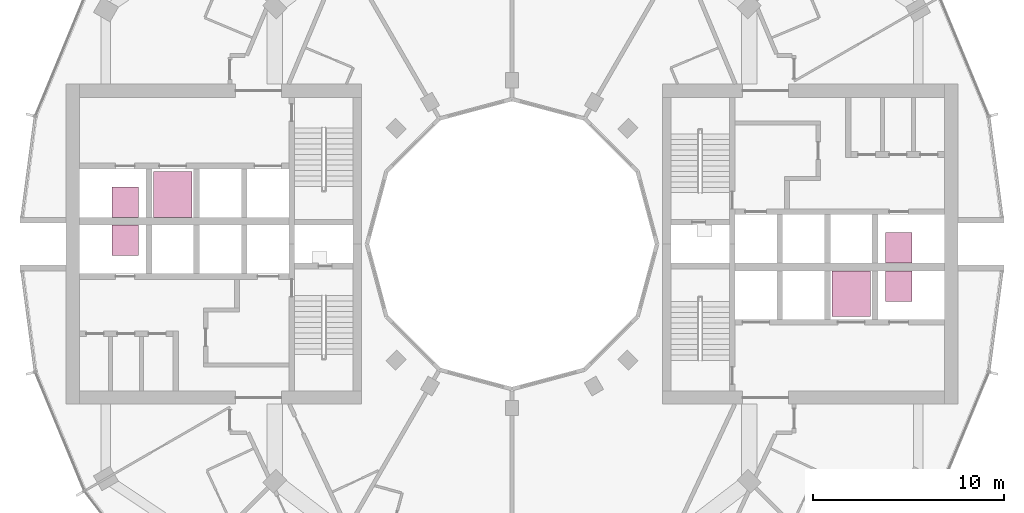
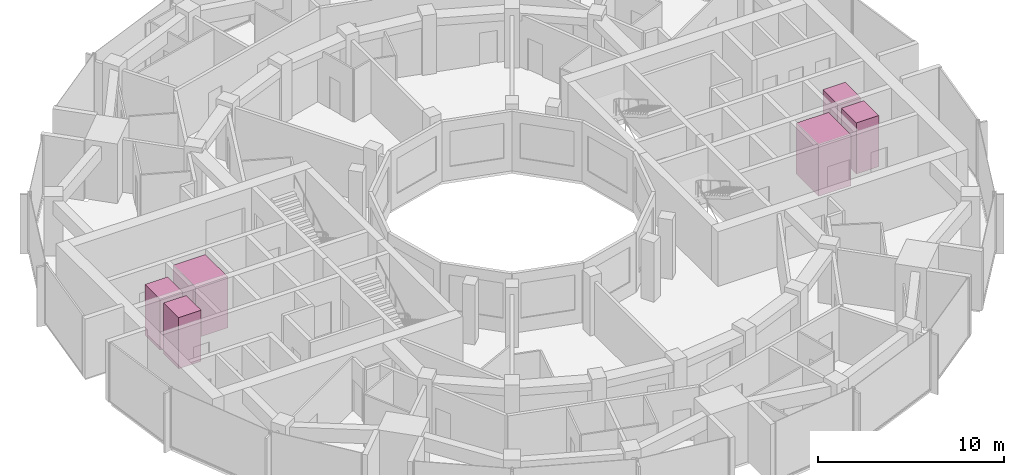
# One storey, part 15 of 15: 6 transport elements.
"""IFC4 building model written with IfcOpenShell, lengths in metres."""

from ifc_helpers import new_model, si_unit, direction, frame, origin, origin_2d, place, context, subcontext, project, spatial, rectangle, extrude, material, type_object, element, save


model = new_model("IFC4")

# Units and contexts
model_context = context("Model", 3, precision=1e-05, world=origin(), true_north=direction((0.0, 1.0)))
body_context = subcontext(model_context, "Body", "Model", "MODEL_VIEW")
ifc_project = project(units=[si_unit("LENGTHUNIT", "METRE"), si_unit("AREAUNIT", "SQUARE_METRE"), si_unit("VOLUMEUNIT", "CUBIC_METRE"), si_unit("PLANEANGLEUNIT", "RADIAN"), si_unit("MASSUNIT", "GRAM", prefix="KILO")], contexts=[model_context])

# Site, building, storey
site_placement = place(None, origin())
site = spatial("IfcSite", under=ifc_project, at=site_placement, CompositionType="ELEMENT")
building_placement = place(site_placement, origin())
building = spatial("IfcBuilding", under=site, at=building_placement, Name="Torre Brocal", CompositionType="ELEMENT")
storey_placement = place(building_placement, frame((0.0, 0.0, 126.300048828125)))
storey = spatial("IfcBuildingStorey", under=building, at=storey_placement, Name="L29", CompositionType="ELEMENT", Elevation=126.300048828125)

# Transport elements
ifc_material_1 = material(Name="Stainless steel AISI 316", Category="steel")
transport_element_type_1 = type_object("IfcTransportElementType", Name="PASSENGER LIFT 2000", PredefinedType="ELEVATOR", material=ifc_material_1)
for number, where, z_axis, x_axis, name in (
    (1, (97.800048828125, 72.39990234375, 0.0), (0.0, 0.0, 1.0), (1.0, 0.0, 0.0), "LOW RISE LIFT E-LR2"),
    (2, (62.199951171875, 77.60009765625, 0.0), (0.0, 0.0, 1.0), (1.0, 0.0, 0.0), "LOW RISE LIFT W-LR2"),
):
    element("IfcTransportElement", number, at=place(storey_placement, frame(where, z_axis=z_axis, x_axis=x_axis)), inside=storey, type_object=transport_element_type_1, Name=name, PredefinedType="ELEVATOR", context=body_context, shape_type="SweptSolid", body=[
        extrude(rectangle(XDim=2.0, YDim=2.39990234375, at=origin_2d()), origin(), (0.0, 0.0, 1.0), 3.35009765625),
    ])
ifc_material_2 = material(Name="Stainless steel AISI 316", Category="steel")
transport_element_type_2 = type_object("IfcTransportElementType", Name="PASSENGER LIFT 900", PredefinedType="ELEVATOR", material=ifc_material_2)
for number, where, z_axis, x_axis, name in (
    (3, (100.300048828125, 74.800048828125, 0.0), (0.0, 0.0, 1.0), (1.0, 0.0, 0.0), "LOW RISE LIFT E-LR1"),
    (4, (100.300048828125, 72.800048828125, 0.0), (0.0, 0.0, 1.0), (1.0, 0.0, 0.0), "LOW RISE LIFT E-LR3"),
    (5, (59.699951171875, 75.199951171875, 0.0), (0.0, 0.0, 1.0), (1.0, 0.0, 0.0), "LOW RISE LIFT W-LR1"),
    (6, (59.699951171875, 77.199951171875, 0.0), (0.0, 0.0, 1.0), (1.0, 0.0, 0.0), "LOW RISE LIFT W-LR3"),
):
    element("IfcTransportElement", number, at=place(storey_placement, frame(where, z_axis=z_axis, x_axis=x_axis)), inside=storey, type_object=transport_element_type_2, Name=name, PredefinedType="ELEVATOR", context=body_context, shape_type="SweptSolid", body=[
        extrude(rectangle(XDim=1.39990234375, YDim=1.60009765625, at=origin_2d()), origin(), (0.0, 0.0, 1.0), 3.35009765625),
    ])

save(model, "model.ifc")
